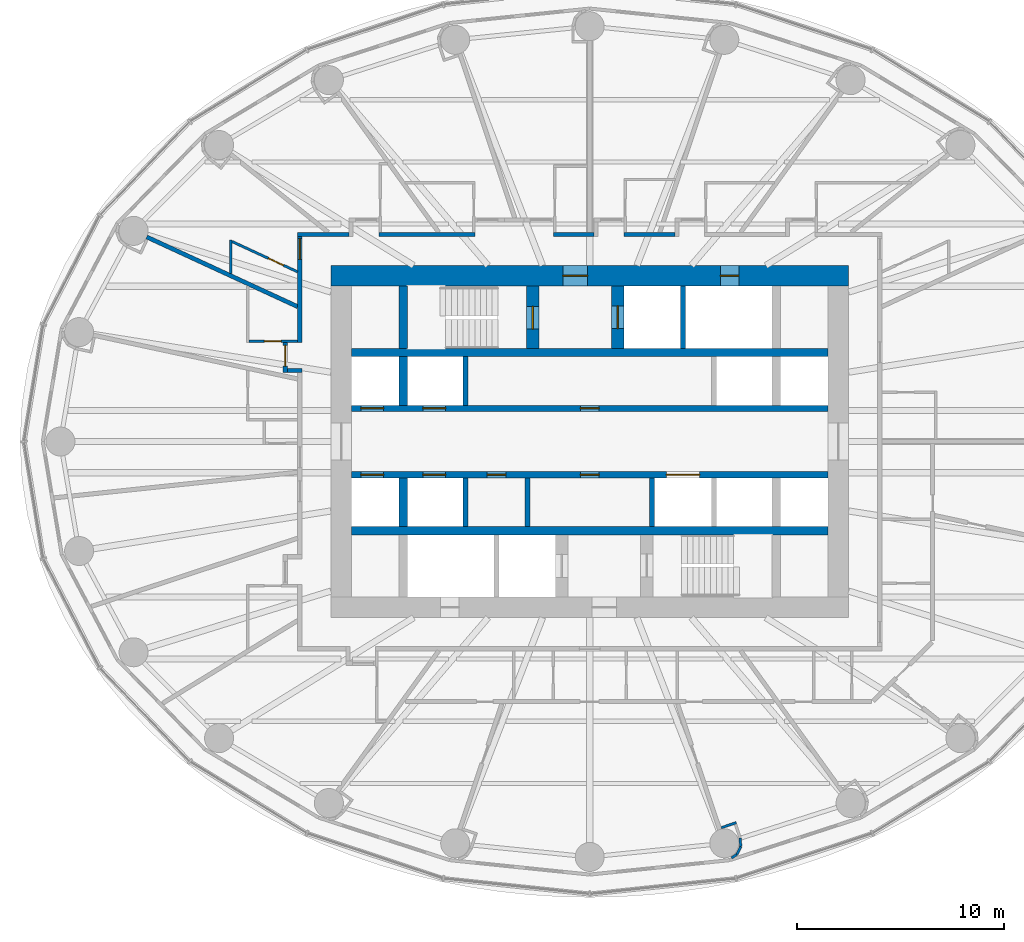
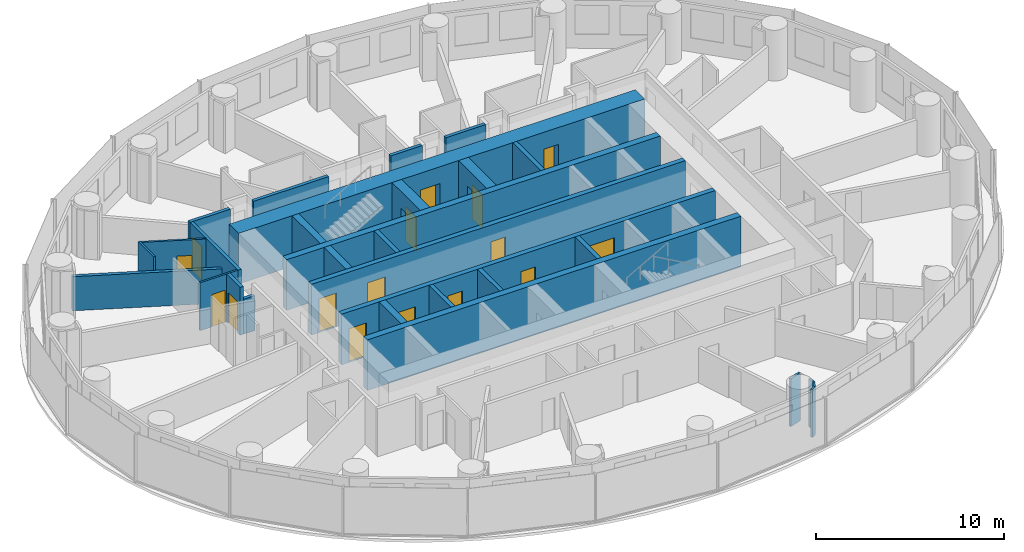
# One storey, part 8 of 14: 30 walls, 16 doors, 16 openings.
"""IFC4 building model written with IfcOpenShell, lengths in metres."""

import ifcopenshell
import ifcopenshell.guid

model = None  # the IFC model being written
_history = None  # IfcOwnerHistory: only IFC2X3 demands one
_inside = {}  # id of a spatial element -> (the spatial element, [elements in it])
_under = {}  # id of a project, library or spatial element -> (it, [spatial elements below it])
_declared = {}  # id of a project -> (the project, [libraries it declares])
_typed = {}  # id of a type object -> (the type object, [elements of that type])
_made_of = {}  # id of a material, layer set ... -> (it, [elements and type objects made of it])


def new_model(schema):
    """Start an empty IFC model of exactly this schema.

    Asked for "IFC4X3", IfcOpenShell would pick the latest addendum, in which some entities
    have other attributes; the version numbers below select the first issue.
    IFC2X3 requires an IfcOwnerHistory on every rooted entity: one is made here for all.
    """
    global model, _history
    if schema == "IFC4X3":
        model = ifcopenshell.file(schema_version=(4, 3, 0, 0))
    else:
        model = ifcopenshell.file(schema=schema)
    _inside.clear()
    _under.clear()
    _declared.clear()
    _typed.clear()
    _made_of.clear()
    _history = None
    if model.schema == "IFC2X3":
        org = make("IfcOrganization", Name="unknown")
        user = make(
            "IfcPersonAndOrganization",
            ThePerson=make("IfcPerson", FamilyName="unknown"),
            TheOrganization=org,
        )
        app = make(
            "IfcApplication",
            ApplicationDeveloper=org,
            Version="unknown",
            ApplicationFullName="unknown",
            ApplicationIdentifier="unknown",
        )
        _history = make(
            "IfcOwnerHistory",
            OwningUser=user,
            OwningApplication=app,
            ChangeAction="ADDED",
            CreationDate=0,
        )
    return model


def make(cls, **values):
    """One entity of the class cls with the attributes given. An attribute that is None is left unset."""
    return model.create_entity(
        cls, **{name: value for name, value in values.items() if value is not None}
    )


def rooted(cls, **values):
    """An entity with a GlobalId (a new one), such as an element, a storey or a relation."""
    return make(cls, GlobalId=ifcopenshell.guid.new(), OwnerHistory=_history, **values)


def si_unit(unit_type, name, prefix=None):
    """IfcSIUnit, for example si_unit("LENGTHUNIT", "METRE", prefix="MILLI")."""
    return make("IfcSIUnit", UnitType=unit_type, Prefix=prefix, Name=name)


def assignment(units):
    """IfcUnitAssignment: the units of a project."""
    return None if units is None else make("IfcUnitAssignment", Units=units)


def point(xyz):
    """IfcCartesianPoint."""
    return None if xyz is None else make("IfcCartesianPoint", Coordinates=xyz)


def direction(xyz):
    """IfcDirection."""
    return None if xyz is None else make("IfcDirection", DirectionRatios=xyz)


def frame(location, z_axis=None, x_axis=None):
    """IfcAxis2Placement3D, a coordinate frame: its origin and axes. An axis left out is left unset."""
    return make(
        "IfcAxis2Placement3D",
        Location=point(location),
        Axis=direction(z_axis),
        RefDirection=direction(x_axis),
    )


def frame_2d(location, x_axis=None):
    """IfcAxis2Placement2D, a coordinate frame in the plane: its origin and x axis."""
    return make(
        "IfcAxis2Placement2D", Location=point(location), RefDirection=direction(x_axis)
    )


def origin():
    """The frame at (0, 0, 0) with its axes left unset."""
    return frame((0.0, 0.0, 0.0))


def place(relative_to, where):
    """IfcLocalPlacement: puts the frame where relative to a parent placement (None: the world)."""
    return make(
        "IfcLocalPlacement", PlacementRelTo=relative_to, RelativePlacement=where
    )


def context(
    kind, dimensions, precision=None, world=None, true_north=None, identifier=None
):
    """IfcGeometricRepresentationContext, for example the 3D "Model" context."""
    return make(
        "IfcGeometricRepresentationContext",
        ContextIdentifier=identifier,
        ContextType=kind,
        CoordinateSpaceDimension=dimensions,
        Precision=precision,
        WorldCoordinateSystem=world,
        TrueNorth=true_north,
    )


def subcontext(parent, identifier, kind, view, scale=None):
    """IfcGeometricRepresentationSubContext, for example "Body" below "Model"."""
    return make(
        "IfcGeometricRepresentationSubContext",
        ContextIdentifier=identifier,
        ContextType=kind,
        ParentContext=parent,
        TargetScale=scale,
        TargetView=view,
    )


def project(units=None, contexts=None):
    """IfcProject with its units and contexts."""
    return rooted(
        "IfcProject",
        Name="project",
        RepresentationContexts=contexts,
        UnitsInContext=assignment(units),
    )


def spatial(cls, under=None, at=None, **own):
    """A site, building, storey or space (cls), placed at a placement, below another one or the project."""
    s = rooted(cls, ObjectPlacement=at, **own)
    if under is not None:
        _under.setdefault(under.id(), (under, []))[1].append(s)
    return s


def profile(cls, at=None, kind="AREA", **sizes):
    """A parametric profile (cls). Its sizes go by their IFC names, for example OverallWidth=200.0."""
    return make(cls, ProfileType=kind, Position=at, **sizes)


def rectangle(**sizes):
    """IfcRectangleProfileDef."""
    return profile("IfcRectangleProfileDef", **sizes)


def extrude(swept, where, along, depth):
    """IfcExtrudedAreaSolid: the profile swept, set in the frame where, extruded along a direction by depth."""
    return make(
        "IfcExtrudedAreaSolid",
        SweptArea=swept,
        Position=where,
        ExtrudedDirection=direction(along),
        Depth=depth,
    )


def shape(context_of_items, identifier, shape_type, items):
    """IfcShapeRepresentation: the items that make up one representation, for example the "Body"."""
    return make(
        "IfcShapeRepresentation",
        ContextOfItems=context_of_items,
        RepresentationIdentifier=identifier,
        RepresentationType=shape_type,
        Items=items,
    )


def material(Name=None, Category=None):
    """IfcMaterial."""
    return make("IfcMaterial", Name=Name, Category=Category)


def layer(
    of_material, thickness, ventilated=None, Name=None, Category=None, Priority=None
):
    """IfcMaterialLayer: one layer of a wall or slab, of a material (None: an air gap)."""
    return make(
        "IfcMaterialLayer",
        Material=of_material,
        LayerThickness=thickness,
        IsVentilated=ventilated,
        Name=Name,
        Category=Category,
        Priority=Priority,
    )


def layer_set(layers, Name=None):
    """IfcMaterialLayerSet."""
    return make("IfcMaterialLayerSet", MaterialLayers=layers, LayerSetName=Name)


def made_of(thing, what):
    """Note that an element or type object is made of a material, layer set ...; save() writes the relation."""
    if what is not None:
        _made_of.setdefault(what.id(), (what, []))[1].append(thing)
    return thing


def type_object(cls, material=None, **own):
    """A type object (cls), such as IfcWallType, which elements share."""
    return made_of(rooted(cls, **own), material)


def element(
    cls,
    number,
    at=None,
    inside=None,
    cuts=None,
    type_object=None,
    material=None,
    context=None,
    identifier="Body",
    shape_type=None,
    held_by="IfcProductDefinitionShape",
    body=None,
    shapes=None,
    **own,
):
    """One element of the class cls, such as IfcWall. Its Tag is "e" and its number.

    at: its placement. inside: the storey or other place that contains it. cuts: it is an
    opening in that element (IfcRelVoidsElement). A single representation is given by context,
    identifier, shape_type and body (its items); several are given by shapes. held_by: the class
    of the entity that holds the representations. save() writes the other relations.
    """
    e = rooted(cls, Tag="e%d" % number, ObjectPlacement=at, **own)
    if body is not None:
        shapes = [shape(context, identifier, shape_type, body)]
    if shapes is not None:
        e.Representation = make(held_by, Representations=shapes)
    if inside is not None:
        _inside.setdefault(inside.id(), (inside, []))[1].append(e)
    if cuts is not None:
        rooted(
            "IfcRelVoidsElement", RelatingBuildingElement=cuts, RelatedOpeningElement=e
        )
    if type_object is not None:
        _typed.setdefault(type_object.id(), (type_object, []))[1].append(e)
    return made_of(e, material)


def fill(opening, filler):
    """IfcRelFillsElement: the door or window that sits in an opening."""
    return rooted(
        "IfcRelFillsElement",
        RelatingOpeningElement=opening,
        RelatedBuildingElement=filler,
    )


def aggregate(whole, parts):
    """IfcRelAggregates: a whole, such as a stair, and the parts it consists of."""
    return rooted("IfcRelAggregates", RelatingObject=whole, RelatedObjects=parts)


def save(model, path):
    """Write the relations noted so far, then the file.

    IfcRelAggregates (storeys below a building ...), IfcRelContainedInSpatialStructure (elements
    in a storey), IfcRelDefinesByType, IfcRelAssociatesMaterial and IfcRelDeclares: one each for
    every whole, place, type object, material and project.
    """
    for whole, parts in _under.values():
        aggregate(whole, parts)
    for where, things in _inside.values():
        rooted(
            "IfcRelContainedInSpatialStructure",
            RelatedElements=things,
            RelatingStructure=where,
        )
    for kind, things in _typed.values():
        rooted("IfcRelDefinesByType", RelatedObjects=things, RelatingType=kind)
    for what, things in _made_of.values():
        rooted("IfcRelAssociatesMaterial", RelatedObjects=things, RelatingMaterial=what)
    for by, libraries in _declared.values():
        rooted("IfcRelDeclares", RelatingContext=by, RelatedDefinitions=libraries)
    model.write(path)


model = new_model("IFC4")

# Units and contexts
model_context = context("Model", 3, precision=1e-05, world=origin(), true_north=direction((0.0, 1.0)))
body_context = subcontext(model_context, "Body", "Model", "MODEL_VIEW")
ifc_project = project(units=[si_unit("LENGTHUNIT", "METRE"), si_unit("AREAUNIT", "SQUARE_METRE"), si_unit("VOLUMEUNIT", "CUBIC_METRE"), si_unit("PLANEANGLEUNIT", "RADIAN"), si_unit("MASSUNIT", "GRAM", prefix="KILO")], contexts=[model_context])

# Site, building, storey
site_placement = place(None, origin())
site = spatial("IfcSite", under=ifc_project, at=site_placement, CompositionType="ELEMENT")
building_placement = place(site_placement, origin())
building = spatial("IfcBuilding", under=site, at=building_placement, Name="Hankou Lantern Tower", CompositionType="ELEMENT")
storey_placement = place(building_placement, frame((0.0, 0.0, 87.0)))
storey = spatial("IfcBuildingStorey", under=building, at=storey_placement, Name="L22", CompositionType="ELEMENT", Elevation=87.0)

# Wall, openings, doors
ifc_material_1 = material(Name="Concrete C60", Category="concrete")
ifc_layer_1 = layer(ifc_material_1, 1.0)
ifc_layer_set_1 = layer_set([ifc_layer_1], Name="Concrete C60")
wall_type_1 = type_object("IfcWallType", Name="CW1 CORE WALL 1000", PredefinedType="SHEAR", material=ifc_layer_set_1)
wall_1_placement = place(storey_placement, frame((-12.5, 8.0, 0.0), z_axis=(0.0, 0.0, 1.0), x_axis=(1.0, 0.0, 0.0)))
wall_1 = element("IfcWall", 1, at=wall_1_placement, inside=storey, type_object=wall_type_1, Name="Core wall north L22", PredefinedType="SHEAR", context=body_context, shape_type="SweptSolid", body=[
    extrude(rectangle(XDim=25.0, YDim=1.0, at=frame_2d((12.5, 0.0))), origin(), (0.0, 0.0, 1.0), 3.300048828125),
])
opening_1_placement = place(wall_1_placement, frame((11.199951171875, 0.0, 0.0)))
opening_1 = element("IfcOpeningElement", 2, at=opening_1_placement, cuts=wall_1, Name="Opening D5", PredefinedType="OPENING", context=body_context, shape_type="SweptSolid", body=[
    extrude(rectangle(XDim=1.199951171875, YDim=2.199951171875, at=frame_2d((0.60009765625, 1.10009765625))), frame((0.0, 0.510009765625, 0.0), z_axis=(0.0, -1.0, 0.0), x_axis=(1.0, 0.0, 0.0)), (0.0, 0.0, 1.0), 1.02001953125),
])
opening_2_placement = place(wall_1_placement, frame((18.800048828125, 0.0, 0.0)))
opening_2 = element("IfcOpeningElement", 3, at=opening_2_placement, cuts=wall_1, Name="Opening D7", PredefinedType="OPENING", context=body_context, shape_type="SweptSolid", body=[
    extrude(rectangle(XDim=0.89990234375, YDim=2.199951171875, at=frame_2d((0.449951171875, 1.10009765625))), frame((0.0, 0.510009765625, 0.0), z_axis=(0.0, -1.0, 0.0), x_axis=(1.0, 0.0, 0.0)), (0.0, 0.0, 1.0), 1.02001953125),
])
ifc_material_2 = material(Name="Steel door leaf", Category="steel")
door_type_1 = type_object("IfcDoorType", Name="D5 STAIR LOBBY DOOR 1200X2200", OperationType="SINGLE_SWING_LEFT", PredefinedType="DOOR", material=ifc_material_2)
door_1_placement = place(opening_1_placement, origin())
door_1 = element("IfcDoor", 4, at=door_1_placement, inside=storey, type_object=door_type_1, Name="Stair A lobby door", OperationType="SINGLE_SWING_LEFT", OverallHeight=2.199951171875, OverallWidth=1.199951171875, PredefinedType="DOOR", context=body_context, shape_type="SweptSolid", body=[
    extrude(rectangle(XDim=1.199951171875, YDim=2.199951171875, at=frame_2d((0.60009765625, 1.10009765625))), frame((0.0, 0.02490234375, 0.0), z_axis=(0.0, -1.0, 0.0), x_axis=(1.0, 0.0, 0.0)), (0.0, 0.0, 1.0), 0.050048828125),
])
fill(opening_1, door_1)
ifc_material_3 = material(Name="Steel door leaf", Category="steel")
door_type_2 = type_object("IfcDoorType", Name="D7 RISER DOOR 900X2200", OperationType="SINGLE_SWING_LEFT", PredefinedType="DOOR", material=ifc_material_3)
door_2_placement = place(opening_2_placement, origin())
door_2 = element("IfcDoor", 5, at=door_2_placement, inside=storey, type_object=door_type_2, Name="Riser N1 door", OperationType="SINGLE_SWING_RIGHT", OverallHeight=2.199951171875, OverallWidth=0.89990234375, PredefinedType="DOOR", context=body_context, shape_type="SweptSolid", body=[
    extrude(rectangle(XDim=0.89990234375, YDim=2.199951171875, at=frame_2d((0.449951171875, 1.10009765625))), frame((0.0, 0.02490234375, 0.0), z_axis=(0.0, -1.0, 0.0), x_axis=(1.0, 0.0, 0.0)), (0.0, 0.0, 1.0), 0.050048828125),
])
fill(opening_2, door_2)

# Walls
ifc_material_4 = material(Name="Concrete C60", Category="concrete")
ifc_layer_2 = layer(ifc_material_4, 0.39990234375)
ifc_layer_set_2 = layer_set([ifc_layer_2], Name="Concrete C60")
wall_type_2 = type_object("IfcWallType", Name="CW4 CORE CROSS WALL 400", PredefinedType="SHEAR", material=ifc_layer_set_2)
for number, where, z_axis, x_axis, name in (
    (6, (-11.5, 4.300048828125, 0.0), (0.0, 0.0, 1.0), (1.0, 0.0, 0.0), "Core band wall north L22"),
    (7, (-11.5, -4.300048828125, 0.0), (0.0, 0.0, 1.0), (1.0, 0.0, 0.0), "Core band wall south L22"),
):
    element("IfcWall", number, at=place(storey_placement, frame(where, z_axis=z_axis, x_axis=x_axis)), inside=storey, type_object=wall_type_2, Name=name, PredefinedType="SHEAR", context=body_context, shape_type="SweptSolid", body=[
        extrude(rectangle(XDim=23.0, YDim=0.39990234375, at=frame_2d((11.5, 0.0))), origin(), (0.0, 0.0, 1.0), 3.300048828125),
    ])
wall_2_placement = place(storey_placement, frame((-9.0, 4.5, 0.0), z_axis=(0.0, 0.0, 1.0), x_axis=(0.0, 1.0, 0.0)))
element("IfcWall", 8, at=wall_2_placement, inside=storey, type_object=wall_type_2, Name="Core strip wall L22", PredefinedType="SHEAR", context=body_context, shape_type="SweptSolid", body=[
    extrude(rectangle(XDim=3.0, YDim=0.39990234375, at=frame_2d((1.5, 0.0))), origin(), (0.0, 0.0, 1.0), 3.300048828125),
])
for number, where, z_axis, x_axis, name in (
    (9, (-9.0, 1.75, 0.0), (0.0, 0.0, 1.0), (0.0, 1.0, 0.0), "Core strip wall L22"),
    (10, (-9.0, -4.10009765625, 0.0), (0.0, 0.0, 1.0), (0.0, 1.0, 0.0), "Core strip wall L22"),
):
    element("IfcWall", number, at=place(storey_placement, frame(where, z_axis=z_axis, x_axis=x_axis)), inside=storey, type_object=wall_type_2, Name=name, PredefinedType="SHEAR", context=body_context, shape_type="SweptSolid", body=[
        extrude(rectangle(XDim=2.35009765625, YDim=0.39990234375, at=frame_2d((1.175048828125, 0.0))), origin(), (0.0, 0.0, 1.0), 3.300048828125),
    ])

# Wall, openings, doors
ifc_material_5 = material(Name="Concrete C60", Category="concrete")
ifc_layer_3 = layer(ifc_material_5, 0.300048828125)
ifc_layer_set_3 = layer_set([ifc_layer_3], Name="Concrete C60")
wall_type_3 = type_object("IfcWallType", Name="CW5 LIFT LOBBY WALL 300", PredefinedType="SHEAR", material=ifc_layer_set_3)
wall_3_placement = place(storey_placement, frame((-11.5, 1.60009765625, 0.0), z_axis=(0.0, 0.0, 1.0), x_axis=(1.0, 0.0, 0.0)))
wall_3 = element("IfcWall", 11, at=wall_3_placement, inside=storey, type_object=wall_type_3, Name="Lift lobby wall north L22", PredefinedType="SHEAR", context=body_context, shape_type="SweptSolid", body=[
    extrude(rectangle(XDim=23.0, YDim=0.300048828125, at=frame_2d((11.5, 0.0))), origin(), (0.0, 0.0, 1.0), 3.300048828125),
])
opening_3_placement = place(wall_3_placement, frame((0.449951171875, 0.0, 0.0)))
opening_3 = element("IfcOpeningElement", 12, at=opening_3_placement, cuts=wall_3, Name="Opening LD1", PredefinedType="OPENING", context=body_context, shape_type="SweptSolid", body=[
    extrude(rectangle(XDim=1.10009765625, YDim=2.199951171875, at=frame_2d((0.550048828125, 1.10009765625))), frame((0.0, 0.159912109375, 0.0), z_axis=(0.0, -1.0, 0.0), x_axis=(1.0, 0.0, 0.0)), (0.0, 0.0, 1.0), 0.320068359375),
])
opening_4_placement = place(wall_3_placement, frame((3.449951171875, 0.0, 0.0)))
opening_4 = element("IfcOpeningElement", 13, at=opening_4_placement, cuts=wall_3, Name="Opening LD1", PredefinedType="OPENING", context=body_context, shape_type="SweptSolid", body=[
    extrude(rectangle(XDim=1.10009765625, YDim=2.199951171875, at=frame_2d((0.550048828125, 1.10009765625))), frame((0.0, 0.159912109375, 0.0), z_axis=(0.0, -1.0, 0.0), x_axis=(1.0, 0.0, 0.0)), (0.0, 0.0, 1.0), 0.320068359375),
])
opening_5_placement = place(wall_3_placement, frame((11.050048828125, 0.0, 0.0)))
opening_5 = element("IfcOpeningElement", 14, at=opening_5_placement, cuts=wall_3, Name="Opening D30", PredefinedType="OPENING", context=body_context, shape_type="SweptSolid", body=[
    extrude(rectangle(XDim=0.89990234375, YDim=2.199951171875, at=frame_2d((0.449951171875, 1.10009765625))), frame((0.0, 0.159912109375, 0.0), z_axis=(0.0, -1.0, 0.0), x_axis=(1.0, 0.0, 0.0)), (0.0, 0.0, 1.0), 0.320068359375),
])
ifc_material_6 = material(Name="Steel door leaf", Category="steel")
door_type_3 = type_object("IfcDoorType", Name="D30 CORE ROOM DOOR 900X2200", OperationType="SINGLE_SWING_LEFT", PredefinedType="DOOR", material=ifc_material_6)
door_3_placement = place(opening_5_placement, origin())
door_3 = element("IfcDoor", 15, at=door_3_placement, inside=storey, type_object=door_type_3, Name="Housekeeping and linen store door", OperationType="SINGLE_SWING_LEFT", OverallHeight=2.199951171875, OverallWidth=0.89990234375, PredefinedType="DOOR", context=body_context, shape_type="SweptSolid", body=[
    extrude(rectangle(XDim=0.89990234375, YDim=2.199951171875, at=frame_2d((0.449951171875, 1.10009765625))), frame((0.0, 0.02490234375, 0.0), z_axis=(0.0, -1.0, 0.0), x_axis=(1.0, 0.0, 0.0)), (0.0, 0.0, 1.0), 0.050048828125),
])
fill(opening_5, door_3)
ifc_material_7 = material(Name="Steel door leaf", Category="steel")
door_type_4 = type_object("IfcDoorType", Name="LD1 LIFT LANDING DOOR 1100X2200", OperationType="DOUBLE_DOOR_SLIDING", PredefinedType="DOOR", material=ifc_material_7)
door_4_placement = place(opening_3_placement, origin())
door_4 = element("IfcDoor", 16, at=door_4_placement, inside=storey, type_object=door_type_4, Name="Lift L1 landing door", OperationType="DOUBLE_DOOR_SLIDING", OverallHeight=2.199951171875, OverallWidth=1.10009765625, PredefinedType="DOOR", context=body_context, shape_type="SweptSolid", body=[
    extrude(rectangle(XDim=1.10009765625, YDim=2.199951171875, at=frame_2d((0.550048828125, 1.10009765625))), frame((0.0, 0.02490234375, 0.0), z_axis=(0.0, -1.0, 0.0), x_axis=(1.0, 0.0, 0.0)), (0.0, 0.0, 1.0), 0.050048828125),
])
fill(opening_3, door_4)
door_5_placement = place(opening_4_placement, origin())
door_5 = element("IfcDoor", 17, at=door_5_placement, inside=storey, type_object=door_type_4, Name="Lift L2 landing door", OperationType="DOUBLE_DOOR_SLIDING", OverallHeight=2.199951171875, OverallWidth=1.10009765625, PredefinedType="DOOR", context=body_context, shape_type="SweptSolid", body=[
    extrude(rectangle(XDim=1.10009765625, YDim=2.199951171875, at=frame_2d((0.550048828125, 1.10009765625))), frame((0.0, 0.02490234375, 0.0), z_axis=(0.0, -1.0, 0.0), x_axis=(1.0, 0.0, 0.0)), (0.0, 0.0, 1.0), 0.050048828125),
])
fill(opening_4, door_5)

wall_4_placement = place(storey_placement, frame((-11.5, -1.60009765625, 0.0), z_axis=(0.0, 0.0, 1.0), x_axis=(1.0, 0.0, 0.0)))
wall_4 = element("IfcWall", 18, at=wall_4_placement, inside=storey, type_object=wall_type_3, Name="Lift lobby wall south L22", PredefinedType="SHEAR", context=body_context, shape_type="SweptSolid", body=[
    extrude(rectangle(XDim=23.0, YDim=0.300048828125, at=frame_2d((11.5, 0.0))), origin(), (0.0, 0.0, 1.0), 3.300048828125),
])
opening_6_placement = place(wall_4_placement, frame((0.449951171875, 0.0, 0.0)))
opening_6 = element("IfcOpeningElement", 19, at=opening_6_placement, cuts=wall_4, Name="Opening LD1", PredefinedType="OPENING", context=body_context, shape_type="SweptSolid", body=[
    extrude(rectangle(XDim=1.10009765625, YDim=2.199951171875, at=frame_2d((0.550048828125, 1.10009765625))), frame((0.0, 0.159912109375, 0.0), z_axis=(0.0, -1.0, 0.0), x_axis=(1.0, 0.0, 0.0)), (0.0, 0.0, 1.0), 0.320068359375),
])
opening_7_placement = place(wall_4_placement, frame((3.449951171875, 0.0, 0.0)))
opening_7 = element("IfcOpeningElement", 20, at=opening_7_placement, cuts=wall_4, Name="Opening LD1", PredefinedType="OPENING", context=body_context, shape_type="SweptSolid", body=[
    extrude(rectangle(XDim=1.10009765625, YDim=2.199951171875, at=frame_2d((0.550048828125, 1.10009765625))), frame((0.0, 0.159912109375, 0.0), z_axis=(0.0, -1.0, 0.0), x_axis=(1.0, 0.0, 0.0)), (0.0, 0.0, 1.0), 0.320068359375),
])
opening_8_placement = place(wall_4_placement, frame((15.199951171875, 0.0, 0.0)))
opening_8 = element("IfcOpeningElement", 21, at=opening_8_placement, cuts=wall_4, Name="Opening LD4", PredefinedType="OPENING", context=body_context, shape_type="SweptSolid", body=[
    extrude(rectangle(XDim=1.60009765625, YDim=2.39990234375, at=frame_2d((0.800048828125, 1.199951171875))), frame((0.0, 0.159912109375, 0.0), z_axis=(0.0, -1.0, 0.0), x_axis=(1.0, 0.0, 0.0)), (0.0, 0.0, 1.0), 0.320068359375),
])
opening_9_placement = place(wall_4_placement, frame((6.550048828125, 0.0, 0.0)))
opening_9 = element("IfcOpeningElement", 22, at=opening_9_placement, cuts=wall_4, Name="Opening D30", PredefinedType="OPENING", context=body_context, shape_type="SweptSolid", body=[
    extrude(rectangle(XDim=0.89990234375, YDim=2.199951171875, at=frame_2d((0.449951171875, 1.10009765625))), frame((0.0, 0.159912109375, 0.0), z_axis=(0.0, -1.0, 0.0), x_axis=(1.0, 0.0, 0.0)), (0.0, 0.0, 1.0), 0.320068359375),
])
opening_10_placement = place(wall_4_placement, frame((11.050048828125, 0.0, 0.0)))
opening_10 = element("IfcOpeningElement", 23, at=opening_10_placement, cuts=wall_4, Name="Opening D30", PredefinedType="OPENING", context=body_context, shape_type="SweptSolid", body=[
    extrude(rectangle(XDim=0.89990234375, YDim=2.199951171875, at=frame_2d((0.449951171875, 1.10009765625))), frame((0.0, 0.159912109375, 0.0), z_axis=(0.0, -1.0, 0.0), x_axis=(1.0, 0.0, 0.0)), (0.0, 0.0, 1.0), 0.320068359375),
])
door_6_placement = place(opening_9_placement, origin())
door_6 = element("IfcDoor", 24, at=door_6_placement, inside=storey, type_object=door_type_3, Name="Vending room door", OperationType="SINGLE_SWING_LEFT", OverallHeight=2.199951171875, OverallWidth=0.89990234375, PredefinedType="DOOR", context=body_context, shape_type="SweptSolid", body=[
    extrude(rectangle(XDim=0.89990234375, YDim=2.199951171875, at=frame_2d((0.449951171875, 1.10009765625))), frame((0.0, 0.02490234375, 0.0), z_axis=(0.0, -1.0, 0.0), x_axis=(1.0, 0.0, 0.0)), (0.0, 0.0, 1.0), 0.050048828125),
])
fill(opening_9, door_6)
door_7_placement = place(opening_10_placement, origin())
door_7 = element("IfcDoor", 25, at=door_7_placement, inside=storey, type_object=door_type_3, Name="Minibar store door", OperationType="SINGLE_SWING_LEFT", OverallHeight=2.199951171875, OverallWidth=0.89990234375, PredefinedType="DOOR", context=body_context, shape_type="SweptSolid", body=[
    extrude(rectangle(XDim=0.89990234375, YDim=2.199951171875, at=frame_2d((0.449951171875, 1.10009765625))), frame((0.0, 0.02490234375, 0.0), z_axis=(0.0, -1.0, 0.0), x_axis=(1.0, 0.0, 0.0)), (0.0, 0.0, 1.0), 0.050048828125),
])
fill(opening_10, door_7)
door_8_placement = place(opening_6_placement, origin())
door_8 = element("IfcDoor", 26, at=door_8_placement, inside=storey, type_object=door_type_4, Name="Lift L3 landing door", OperationType="DOUBLE_DOOR_SLIDING", OverallHeight=2.199951171875, OverallWidth=1.10009765625, PredefinedType="DOOR", context=body_context, shape_type="SweptSolid", body=[
    extrude(rectangle(XDim=1.10009765625, YDim=2.199951171875, at=frame_2d((0.550048828125, 1.10009765625))), frame((0.0, 0.02490234375, 0.0), z_axis=(0.0, -1.0, 0.0), x_axis=(1.0, 0.0, 0.0)), (0.0, 0.0, 1.0), 0.050048828125),
])
fill(opening_6, door_8)
door_9_placement = place(opening_7_placement, origin())
door_9 = element("IfcDoor", 27, at=door_9_placement, inside=storey, type_object=door_type_4, Name="Lift L4 landing door", OperationType="DOUBLE_DOOR_SLIDING", OverallHeight=2.199951171875, OverallWidth=1.10009765625, PredefinedType="DOOR", context=body_context, shape_type="SweptSolid", body=[
    extrude(rectangle(XDim=1.10009765625, YDim=2.199951171875, at=frame_2d((0.550048828125, 1.10009765625))), frame((0.0, 0.02490234375, 0.0), z_axis=(0.0, -1.0, 0.0), x_axis=(1.0, 0.0, 0.0)), (0.0, 0.0, 1.0), 0.050048828125),
])
fill(opening_7, door_9)
ifc_material_8 = material(Name="Steel door leaf", Category="steel")
door_type_5 = type_object("IfcDoorType", Name="LD4 SERVICE LIFT LANDING DOOR 1600X2400", OperationType="DOUBLE_DOOR_SLIDING", PredefinedType="DOOR", material=ifc_material_8)
door_10_placement = place(opening_8_placement, origin())
door_10 = element("IfcDoor", 28, at=door_10_placement, inside=storey, type_object=door_type_5, Name="Lift SV1 landing door", OperationType="DOUBLE_DOOR_SLIDING", OverallHeight=2.39990234375, OverallWidth=1.60009765625, PredefinedType="DOOR", context=body_context, shape_type="SweptSolid", body=[
    extrude(rectangle(XDim=1.60009765625, YDim=2.39990234375, at=frame_2d((0.800048828125, 1.199951171875))), frame((0.0, 0.02490234375, 0.0), z_axis=(0.0, -1.0, 0.0), x_axis=(1.0, 0.0, 0.0)), (0.0, 0.0, 1.0), 0.050048828125),
])
fill(opening_8, door_10)

# Wall, opening, door
ifc_material_9 = material(Name="Concrete C60", Category="concrete")
ifc_layer_4 = layer(ifc_material_9, 0.60009765625)
ifc_layer_set_4 = layer_set([ifc_layer_4], Name="Concrete C60")
wall_type_4 = type_object("IfcWallType", Name="CW6 STAIR AND SHAFT WALL 600", PredefinedType="SHEAR", material=ifc_layer_set_4)
wall_5_placement = place(storey_placement, frame((-2.75, 4.5, 0.0), z_axis=(0.0, 0.0, 1.0), x_axis=(0.0, 1.0, 0.0)))
wall_5 = element("IfcWall", 29, at=wall_5_placement, inside=storey, type_object=wall_type_4, Name="Stair wall L22", PredefinedType="SHEAR", context=body_context, shape_type="SweptSolid", body=[
    extrude(rectangle(XDim=3.0, YDim=0.60009765625, at=frame_2d((1.5, 0.0))), origin(), (0.0, 0.0, 1.0), 3.300048828125),
])
opening_11_placement = place(wall_5_placement, frame((0.925048828125, 0.0, 0.0)))
opening_11 = element("IfcOpeningElement", 30, at=opening_11_placement, cuts=wall_5, Name="Opening D4", PredefinedType="OPENING", context=body_context, shape_type="SweptSolid", body=[
    extrude(rectangle(XDim=1.10009765625, YDim=2.199951171875, at=frame_2d((0.550048828125, 1.10009765625))), frame((0.0, 0.31005859375, 0.0), z_axis=(0.0, -1.0, 0.0), x_axis=(1.0, 0.0, 0.0)), (0.0, 0.0, 1.0), 0.6201171875),
])
ifc_material_10 = material(Name="Steel door leaf", Category="steel")
door_type_6 = type_object("IfcDoorType", Name="D4 STAIR DOOR 1100X2200", OperationType="SINGLE_SWING_LEFT", PredefinedType="DOOR", material=ifc_material_10)
door_11_placement = place(opening_11_placement, origin())
door_11 = element("IfcDoor", 31, at=door_11_placement, inside=storey, type_object=door_type_6, Name="Stair A door", OperationType="SINGLE_SWING_LEFT", OverallHeight=2.199951171875, OverallWidth=1.10009765625, PredefinedType="DOOR", context=body_context, shape_type="SweptSolid", body=[
    extrude(rectangle(XDim=1.10009765625, YDim=2.199951171875, at=frame_2d((0.550048828125, 1.10009765625))), frame((0.0, 0.02490234375, 0.0), z_axis=(0.0, -1.0, 0.0), x_axis=(1.0, 0.0, 0.0)), (0.0, 0.0, 1.0), 0.050048828125),
])
fill(opening_11, door_11)

wall_6_placement = place(storey_placement, frame((1.35009765625, 4.5, 0.0), z_axis=(0.0, 0.0, 1.0), x_axis=(0.0, 1.0, 0.0)))
wall_6 = element("IfcWall", 32, at=wall_6_placement, inside=storey, type_object=wall_type_4, Name="Firefighting lift shaft wall L22", PredefinedType="SHEAR", context=body_context, shape_type="SweptSolid", body=[
    extrude(rectangle(XDim=3.0, YDim=0.60009765625, at=frame_2d((1.5, 0.0))), origin(), (0.0, 0.0, 1.0), 3.300048828125),
])
opening_12_placement = place(wall_6_placement, frame((0.949951171875, 0.0, 0.0)))
opening_12 = element("IfcOpeningElement", 33, at=opening_12_placement, cuts=wall_6, Name="Opening LD2", PredefinedType="OPENING", context=body_context, shape_type="SweptSolid", body=[
    extrude(rectangle(XDim=1.10009765625, YDim=2.199951171875, at=frame_2d((0.550048828125, 1.10009765625))), frame((0.0, 0.31005859375, 0.0), z_axis=(0.0, -1.0, 0.0), x_axis=(1.0, 0.0, 0.0)), (0.0, 0.0, 1.0), 0.6201171875),
])
ifc_material_11 = material(Name="Steel door leaf", Category="steel")
door_type_7 = type_object("IfcDoorType", Name="LD2 FIREFIGHTING LIFT LANDING DOOR 1100X2200", OperationType="DOUBLE_DOOR_SLIDING", PredefinedType="DOOR", material=ifc_material_11)
door_12_placement = place(opening_12_placement, origin())
door_12 = element("IfcDoor", 34, at=door_12_placement, inside=storey, type_object=door_type_7, Name="Firefighting lift FL1 landing door", OperationType="DOUBLE_DOOR_SLIDING", OverallHeight=2.199951171875, OverallWidth=1.10009765625, PredefinedType="DOOR", context=body_context, shape_type="SweptSolid", body=[
    extrude(rectangle(XDim=1.10009765625, YDim=2.199951171875, at=frame_2d((0.550048828125, 1.10009765625))), frame((0.0, 0.02490234375, 0.0), z_axis=(0.0, -1.0, 0.0), x_axis=(1.0, 0.0, 0.0)), (0.0, 0.0, 1.0), 0.050048828125),
])
fill(opening_12, door_12)

# Wall
ifc_material_12 = material(Name="Masonry lightweight concrete block", Category="masonry")
ifc_layer_5 = layer(ifc_material_12, 0.199951171875)
ifc_layer_set_5 = layer_set([ifc_layer_5], Name="Masonry lightweight concrete block")
wall_type_5 = type_object("IfcWallType", Name="IW1 GUEST ROOM PARTY WALL 200", PredefinedType="PARTITIONING", material=ifc_layer_set_5)
wall_7_placement = place(storey_placement, frame((-14.10009765625, 6.512451171875, 0.0), z_axis=(0.0, 0.0, 1.0), x_axis=(-0.907832871056, 0.419332181247, 0.0)))
element("IfcWall", 35, at=wall_7_placement, inside=storey, type_object=wall_type_5, Name="Party wall R11", PredefinedType="PARTITIONING", context=body_context, shape_type="SweptSolid", body=[
    extrude(rectangle(XDim=8.02294921875, YDim=0.199951171875, at=frame_2d((4.011474609375, 0.0))), origin(), (0.0, 0.0, 1.0), 2.219970703125),
])

# Wall, opening, door
ifc_material_13 = material(Name="Masonry lightweight concrete block", Category="masonry")
ifc_layer_6 = layer(ifc_material_13, 0.199951171875)
ifc_layer_set_6 = layer_set([ifc_layer_6], Name="Masonry lightweight concrete block")
wall_type_6 = type_object("IfcWallType", Name="IW2 CORRIDOR WALL 200", PredefinedType="PARTITIONING", material=ifc_layer_set_6)
wall_8_placement = place(storey_placement, frame((-14.699951171875, 4.7724609375, 0.0), z_axis=(0.0, 0.0, 1.0), x_axis=(0.0, -1.0, 0.0)))
wall_8 = element("IfcWall", 36, at=wall_8_placement, inside=storey, type_object=wall_type_6, Name="Corridor recess wall 2201 back", PredefinedType="PARTITIONING", context=body_context, shape_type="SweptSolid", body=[
    extrude(rectangle(XDim=1.43994140625, YDim=0.199951171875, at=frame_2d((0.719970703125, 0.0))), origin(), (0.0, 0.0, 1.0), 3.1201171875),
])
opening_13_placement = place(wall_8_placement, frame((0.125, 0.0, 0.0)))
opening_13 = element("IfcOpeningElement", 37, at=opening_13_placement, cuts=wall_8, Name="Opening D35", PredefinedType="OPENING", context=body_context, shape_type="SweptSolid", body=[
    extrude(rectangle(XDim=1.0, YDim=2.0, at=frame_2d((0.5, 1.0))), frame((0.0, 0.10986328125, 0.0), z_axis=(0.0, -1.0, 0.0), x_axis=(1.0, 0.0, 0.0)), (0.0, 0.0, 1.0), 0.219970703125),
])
ifc_material_14 = material(Name="Steel door leaf", Category="steel")
door_type_8 = type_object("IfcDoorType", Name="D35 GUEST ROOM DOOR 1000X2000", OperationType="SINGLE_SWING_LEFT", PredefinedType="DOOR", material=ifc_material_14)
door_13_placement = place(opening_13_placement, origin())
door_13 = element("IfcDoor", 38, at=door_13_placement, inside=storey, type_object=door_type_8, Name="Guest room door 2201", OperationType="SINGLE_SWING_LEFT", OverallHeight=2.0, OverallWidth=1.0, PredefinedType="DOOR", context=body_context, shape_type="SweptSolid", body=[
    extrude(rectangle(XDim=1.0, YDim=2.0, at=frame_2d((0.5, 1.0))), frame((0.0, 0.02490234375, 0.0), z_axis=(0.0, -1.0, 0.0), x_axis=(1.0, 0.0, 0.0)), (0.0, 0.0, 1.0), 0.050048828125),
])
fill(opening_13, door_13)

# Wall
wall_9_placement = place(storey_placement, frame((-13.89990234375, 3.4326171875, 0.0), z_axis=(0.0, 0.0, 1.0), x_axis=(-1.0, 0.0, 0.0)))
element("IfcWall", 39, at=wall_9_placement, inside=storey, type_object=wall_type_6, Name="Corridor recess wall 2201 side", PredefinedType="PARTITIONING", context=body_context, shape_type="SweptSolid", body=[
    extrude(rectangle(XDim=0.7001953125, YDim=0.199951171875, at=frame_2d((0.35009765625, 0.0))), origin(), (0.0, 0.0, 1.0), 2.27001953125),
])

# Wall, opening, door
wall_10_placement = place(storey_placement, frame((-14.0, 9.89990234375, 0.0), z_axis=(0.0, 0.0, 1.0), x_axis=(0.0, -1.0, 0.0)))
wall_10 = element("IfcWall", 40, at=wall_10_placement, inside=storey, type_object=wall_type_6, Name="Corridor wall west", PredefinedType="PARTITIONING", context=body_context, shape_type="SweptSolid", body=[
    extrude(rectangle(XDim=5.12744140625, YDim=0.199951171875, at=frame_2d((2.563720703125, 0.0))), origin(), (0.0, 0.0, 1.0), 3.1201171875),
])
opening_14_placement = place(wall_10_placement, frame((0.1025390625, 0.0, 0.0)))
opening_14 = element("IfcOpeningElement", 41, at=opening_14_placement, cuts=wall_10, Name="Opening D1", PredefinedType="OPENING", context=body_context, shape_type="SweptSolid", body=[
    extrude(rectangle(XDim=1.0, YDim=2.199951171875, at=frame_2d((0.5, 1.10009765625))), frame((0.0, 0.10986328125, 0.0), z_axis=(0.0, -1.0, 0.0), x_axis=(1.0, 0.0, 0.0)), (0.0, 0.0, 1.0), 0.219970703125),
])
ifc_material_15 = material(Name="Steel door leaf", Category="steel")
door_type_9 = type_object("IfcDoorType", Name="D1 GUEST ROOM DOOR 1000X2200", OperationType="SINGLE_SWING_LEFT", PredefinedType="DOOR", material=ifc_material_15)
door_14_placement = place(opening_14_placement, origin())
door_14 = element("IfcDoor", 42, at=door_14_placement, inside=storey, type_object=door_type_9, Name="Guest room door 2216", OperationType="SINGLE_SWING_LEFT", OverallHeight=2.199951171875, OverallWidth=1.0, PredefinedType="DOOR", context=body_context, shape_type="SweptSolid", body=[
    extrude(rectangle(XDim=1.0, YDim=2.199951171875, at=frame_2d((0.5, 1.10009765625))), frame((0.0, 0.02490234375, 0.0), z_axis=(0.0, -1.0, 0.0), x_axis=(1.0, 0.0, 0.0)), (0.0, 0.0, 1.0), 0.050048828125),
])
fill(opening_14, door_14)

# Walls
wall_11_placement = place(storey_placement, frame((-14.10009765625, 10.0, 0.0), z_axis=(0.0, 0.0, 1.0), x_axis=(1.0, 0.0, 0.0)))
element("IfcWall", 43, at=wall_11_placement, inside=storey, type_object=wall_type_6, Name="Corridor wall north", PredefinedType="PARTITIONING", context=body_context, shape_type="SweptSolid", body=[
    extrude(rectangle(XDim=2.48095703125, YDim=0.199951171875, at=frame_2d((1.240478515625, 0.0))), origin(), (0.0, 0.0, 1.0), 3.1201171875),
])
wall_12_placement = place(storey_placement, frame((-10.178955078125, 10.0, 0.0), z_axis=(0.0, 0.0, 1.0), x_axis=(1.0, 0.0, 0.0)))
element("IfcWall", 44, at=wall_12_placement, inside=storey, type_object=wall_type_6, Name="Corridor wall north", PredefinedType="PARTITIONING", context=body_context, shape_type="SweptSolid", body=[
    extrude(rectangle(XDim=4.6298828125, YDim=0.199951171875, at=frame_2d((2.31494140625, 0.0))), origin(), (0.0, 0.0, 1.0), 3.1201171875),
])
wall_13_placement = place(storey_placement, frame((-1.739990234375, 10.0, 0.0), z_axis=(0.0, 0.0, 1.0), x_axis=(1.0, 0.0, 0.0)))
element("IfcWall", 45, at=wall_13_placement, inside=storey, type_object=wall_type_6, Name="Corridor wall north", PredefinedType="PARTITIONING", context=body_context, shape_type="SweptSolid", body=[
    extrude(rectangle(XDim=1.94287109375, YDim=0.199951171875, at=frame_2d((0.971435546875, 0.0))), origin(), (0.0, 0.0, 1.0), 3.1201171875),
])
wall_14_placement = place(storey_placement, frame((1.642822265625, 10.0, 0.0), z_axis=(0.0, 0.0, 1.0), x_axis=(1.0, 0.0, 0.0)))
element("IfcWall", 46, at=wall_14_placement, inside=storey, type_object=wall_type_6, Name="Corridor wall north", PredefinedType="PARTITIONING", context=body_context, shape_type="SweptSolid", body=[
    extrude(rectangle(XDim=2.46630859375, YDim=0.199951171875, at=frame_2d((1.233154296875, 0.0))), origin(), (0.0, 0.0, 1.0), 3.1201171875),
])

# Wall, opening, door
ifc_material_16 = material(Name="Masonry lightweight concrete block", Category="masonry")
ifc_layer_7 = layer(ifc_material_16, 0.1201171875)
ifc_layer_set_7 = layer_set([ifc_layer_7], Name="Masonry lightweight concrete block")
wall_type_7 = type_object("IfcWallType", Name="IW3 BATHROOM WALL 120", PredefinedType="PARTITIONING", material=ifc_layer_set_7)
wall_15_placement = place(storey_placement, frame((-14.10009765625, 4.83251953125, 0.0), z_axis=(0.0, 0.0, 1.0), x_axis=(-1.0, 0.0, 0.0)))
wall_15 = element("IfcWall", 47, at=wall_15_placement, inside=storey, type_object=wall_type_7, Name="Box wall 2201 1", PredefinedType="PARTITIONING", context=body_context, shape_type="SweptSolid", body=[
    extrude(rectangle(XDim=2.33984375, YDim=0.1201171875, at=frame_2d((1.169921875, 0.0))), origin(), (0.0, 0.0, 1.0), 3.1201171875),
])
opening_15_placement = place(wall_15_placement, frame((0.800048828125, 0.0, 0.0)))
opening_15 = element("IfcOpeningElement", 48, at=opening_15_placement, cuts=wall_15, Name="Opening D3", PredefinedType="OPENING", context=body_context, shape_type="SweptSolid", body=[
    extrude(rectangle(XDim=0.800048828125, YDim=2.10009765625, at=frame_2d((0.39990234375, 1.050048828125))), frame((0.0, 0.070068359375, 0.0), z_axis=(0.0, -1.0, 0.0), x_axis=(1.0, 0.0, 0.0)), (0.0, 0.0, 1.0), 0.14013671875),
])
ifc_material_17 = material(Name="Timber door leaf", Category="wood")
door_type_10 = type_object("IfcDoorType", Name="D3 BATHROOM DOOR 800X2100", OperationType="SINGLE_SWING_LEFT", PredefinedType="DOOR", material=ifc_material_17)
door_15_placement = place(opening_15_placement, origin())
door_15 = element("IfcDoor", 49, at=door_15_placement, inside=storey, type_object=door_type_10, Name="En-suite bathroom 2201 door", OperationType="SINGLE_SWING_LEFT", OverallHeight=2.10009765625, OverallWidth=0.800048828125, PredefinedType="DOOR", context=body_context, shape_type="SweptSolid", body=[
    extrude(rectangle(XDim=0.800048828125, YDim=2.10009765625, at=frame_2d((0.39990234375, 1.050048828125))), frame((0.0, 0.02490234375, 0.0), z_axis=(0.0, -1.0, 0.0), x_axis=(1.0, 0.0, 0.0)), (0.0, 0.0, 1.0), 0.050048828125),
])
fill(opening_15, door_15)

# Wall
wall_16_placement = place(storey_placement, frame((-17.32275390625, 8.10107421875, 0.0), z_axis=(0.0, 0.0, 1.0), x_axis=(0.0, 1.0, 0.0)))
element("IfcWall", 50, at=wall_16_placement, inside=storey, type_object=wall_type_7, Name="Box wall 2216 1", PredefinedType="PARTITIONING", context=body_context, shape_type="SweptSolid", body=[
    extrude(rectangle(XDim=1.639892578125, YDim=0.1201171875, at=frame_2d((0.81982421875, 0.0))), origin(), (0.0, 0.0, 1.0), 3.1201171875),
])

# Wall, opening, door
wall_17_placement = place(storey_placement, frame((-14.10009765625, 8.192626953125, 0.0), z_axis=(0.0, 0.0, 1.0), x_axis=(-0.907836493557, 0.419324338628, 0.0)))
wall_17 = element("IfcWall", 51, at=wall_17_placement, inside=storey, type_object=wall_type_7, Name="Box wall 2216 1", PredefinedType="PARTITIONING", context=body_context, shape_type="SweptSolid", body=[
    extrude(rectangle(XDim=3.48974609375, YDim=0.1201171875, at=frame_2d((1.744873046875, 0.0))), origin(), (0.0, 0.0, 1.0), 3.1201171875),
])
opening_16_placement = place(wall_17_placement, frame((0.75, 0.0, 0.0)))
opening_16 = element("IfcOpeningElement", 52, at=opening_16_placement, cuts=wall_17, Name="Opening D3", PredefinedType="OPENING", context=body_context, shape_type="SweptSolid", body=[
    extrude(rectangle(XDim=0.800048828125, YDim=2.10009765625, at=frame_2d((0.39990234375, 1.050048828125))), frame((0.0, 0.070068359375, 0.0), z_axis=(0.0, -1.0, 0.0), x_axis=(1.0, 0.0, 0.0)), (0.0, 0.0, 1.0), 0.14013671875),
])
door_16_placement = place(opening_16_placement, origin())
door_16 = element("IfcDoor", 53, at=door_16_placement, inside=storey, type_object=door_type_10, Name="En-suite bathroom 2216 door", OperationType="SINGLE_SWING_LEFT", OverallHeight=2.10009765625, OverallWidth=0.800048828125, PredefinedType="DOOR", context=body_context, shape_type="SweptSolid", body=[
    extrude(rectangle(XDim=0.800048828125, YDim=2.10009765625, at=frame_2d((0.39990234375, 1.050048828125))), frame((0.0, 0.02490234375, 0.0), z_axis=(0.0, -1.0, 0.0), x_axis=(1.0, 0.0, 0.0)), (0.0, 0.0, 1.0), 0.050048828125),
])
fill(opening_16, door_16)

# Walls
ifc_material_18 = material(Name="Masonry lightweight concrete block", Category="masonry")
ifc_layer_8 = layer(ifc_material_18, 0.1201171875)
ifc_layer_set_8 = layer_set([ifc_layer_8], Name="Masonry lightweight concrete block")
wall_type_8 = type_object("IfcWallType", Name="IW4 PARTITION 120", PredefinedType="PARTITIONING", material=ifc_layer_set_8)
wall_18_placement = place(storey_placement, frame((6.348388671875, -18.638916015625, 0.0), z_axis=(0.0, 0.0, 1.0), x_axis=(0.948268951266, 0.317468102437, 0.0)))
element("IfcWall", 54, at=wall_18_placement, inside=storey, type_object=wall_type_8, Name="Column casing R20 return", PredefinedType="PARTITIONING", context=body_context, shape_type="SweptSolid", body=[
    extrude(rectangle(XDim=0.767578125, YDim=0.1201171875, at=frame_2d((0.3837890625, 0.0))), origin(), (0.0, 0.0, 1.0), 3.1201171875),
])
wall_19_placement = place(storey_placement, frame((7.260498046875, -19.135009765625, 0.0), z_axis=(0.0, 0.0, 1.0), x_axis=(0.0613238046, -0.99811792439, 0.0)))
element("IfcWall", 55, at=wall_19_placement, inside=storey, type_object=wall_type_8, Name="Column casing R20", PredefinedType="PARTITIONING", context=body_context, shape_type="SweptSolid", body=[
    extrude(rectangle(XDim=0.41796875, YDim=0.1201171875, at=frame_2d((0.208984375, 0.0))), origin(), (0.0, 0.0, 1.0), 3.1201171875),
])
wall_20_placement = place(storey_placement, frame((7.2861328125, -19.55224609375, 0.0), z_axis=(0.0, 0.0, 1.0), x_axis=(-0.445810757773, -0.89512723579, 0.0)))
element("IfcWall", 56, at=wall_20_placement, inside=storey, type_object=wall_type_8, Name="Column casing R20", PredefinedType="PARTITIONING", context=body_context, shape_type="SweptSolid", body=[
    extrude(rectangle(XDim=0.417724609375, YDim=0.1201171875, at=frame_2d((0.208984375, 0.0))), origin(), (0.0, 0.0, 1.0), 3.1201171875),
])
wall_21_placement = place(storey_placement, frame((7.099853515625, -19.92626953125, 0.0), z_axis=(0.0, 0.0, 1.0), x_axis=(-0.833488262509, -0.552537162787, 0.0)))
element("IfcWall", 57, at=wall_21_placement, inside=storey, type_object=wall_type_8, Name="Column casing R20", PredefinedType="PARTITIONING", context=body_context, shape_type="SweptSolid", body=[
    extrude(rectangle(XDim=0.312744140625, YDim=0.1201171875, at=frame_2d((0.15625, 0.0))), origin(), (0.0, 0.0, 1.0), 3.1201171875),
])
ifc_material_19 = material(Name="Masonry autoclaved aerated concrete block", Category="masonry")
ifc_layer_9 = layer(ifc_material_19, 0.25)
ifc_layer_set_9 = layer_set([ifc_layer_9], Name="Masonry autoclaved aerated concrete block")
wall_type_9 = type_object("IfcWallType", Name="SW1 SHAFT BLOCK WALL 250", PredefinedType="PARTITIONING", material=ifc_layer_set_9)
wall_22_placement = place(storey_placement, frame((4.5, 4.5, 0.0), z_axis=(0.0, 0.0, 1.0), x_axis=(0.0, 1.0, 0.0)))
element("IfcWall", 58, at=wall_22_placement, inside=storey, type_object=wall_type_9, Name="Riser wall L22", PredefinedType="PARTITIONING", context=body_context, shape_type="SweptSolid", body=[
    extrude(rectangle(XDim=3.0, YDim=0.25, at=frame_2d((1.5, 0.0))), origin(), (0.0, 0.0, 1.0), 3.300048828125),
])
for number, where, z_axis, x_axis, name in (
    (59, (-6.0, 1.75, 0.0), (0.0, 0.0, 1.0), (0.0, 1.0, 0.0), "Lift shaft wall L22"),
    (60, (-6.0, -4.10009765625, 0.0), (0.0, 0.0, 1.0), (0.0, 1.0, 0.0), "Lift shaft wall L22"),
    (61, (-3.0, -4.10009765625, 0.0), (0.0, 0.0, 1.0), (0.0, 1.0, 0.0), "Lift shaft wall L22"),
    (62, (3.0, -4.10009765625, 0.0), (0.0, 0.0, 1.0), (0.0, 1.0, 0.0), "Lift shaft wall L22"),
):
    element("IfcWall", number, at=place(storey_placement, frame(where, z_axis=z_axis, x_axis=x_axis)), inside=storey, type_object=wall_type_9, Name=name, PredefinedType="PARTITIONING", context=body_context, shape_type="SweptSolid", body=[
        extrude(rectangle(XDim=2.35009765625, YDim=0.25, at=frame_2d((1.175048828125, 0.0))), origin(), (0.0, 0.0, 1.0), 3.300048828125),
    ])

save(model, "model.ifc")
